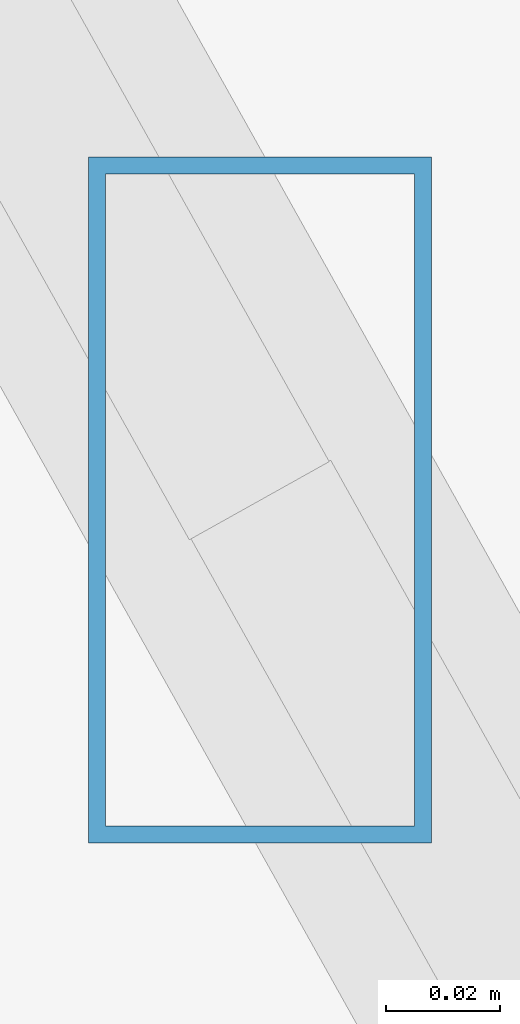
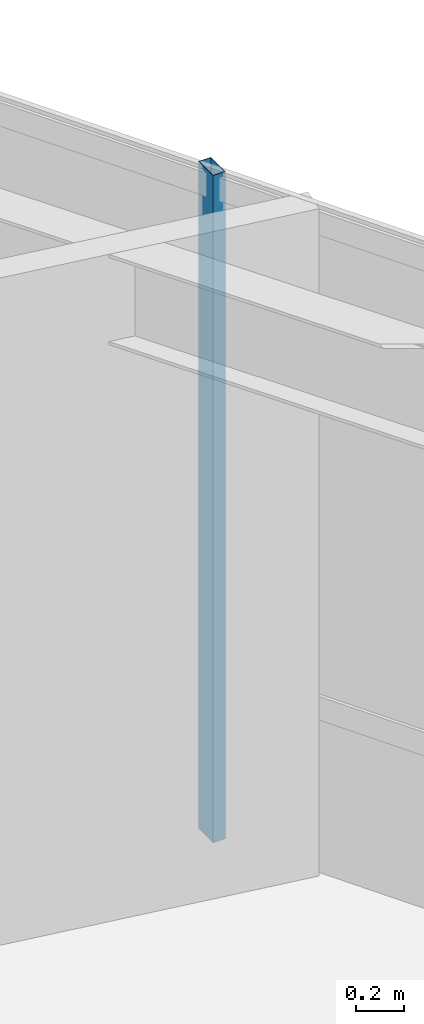
# One storey, part 25 of 44: 1 member, 1 element without a shape of its own.
"""IFC4 building model written with IfcOpenShell, lengths in metres."""

from ifc_helpers import new_model, si_unit, direction, frame, origin, origin_2d, place, context, subcontext, project, spatial, hollow_rectangle, extrude, source, transform, mapped, material, material_profile, profile_set, type_object, type_shapes, element, aggregate, save


model = new_model("IFC4")

# Units and contexts
model_context = context("Model", 3, precision=1e-05, world=origin(), true_north=direction((0.0, 1.0)))
body_context = subcontext(model_context, "Body", "Model", "MODEL_VIEW")
ifc_project = project(units=[si_unit("LENGTHUNIT", "METRE"), si_unit("AREAUNIT", "SQUARE_METRE"), si_unit("VOLUMEUNIT", "CUBIC_METRE"), si_unit("PLANEANGLEUNIT", "RADIAN"), si_unit("MASSUNIT", "GRAM", prefix="KILO")], contexts=[model_context])

# Site, building, storey
site_placement = place(None, origin())
site = spatial("IfcSite", under=ifc_project, at=site_placement, CompositionType="ELEMENT")
building_placement = place(site_placement, origin())
building = spatial("IfcBuilding", under=site, at=building_placement, Name="Caelisora Broadcast Tower", CompositionType="ELEMENT")
storey_placement = place(building_placement, frame((0.0, 0.0, 259.050048828125)))
storey = spatial("IfcBuildingStorey", under=building, at=storey_placement, Name="L68", CompositionType="ELEMENT", Elevation=259.050048828125)

# Curtain wall, member
ifc_material_1 = material(Name="Unitised Aluminium and Low-E Glass Curtain Wall", Category="glass")
curtain_wall_type = type_object("IfcCurtainWallType", Name="CW-Z5", PredefinedType="NOTDEFINED", material=ifc_material_1)
curtain_wall_placement = place(storey_placement, origin())
curtain_wall = element("IfcCurtainWall", 1, at=curtain_wall_placement, inside=storey, type_object=curtain_wall_type, Name="L68 curtain wall CW-Z5", PredefinedType="NOTDEFINED")
ifc_material_2 = material(Name="Aluminium 6063-T6 Anodised Terracotta Bronze", Category="aluminium")
ifc_material_profile = material_profile(ifc_material_2, hollow_rectangle(XDim=0.06005859375, YDim=0.1201171875, WallThickness=0.0029296875, at=origin_2d()), Name="Aluminium 6063-T6 Anodised Terracotta Bronze")
ifc_profile_set = profile_set([ifc_material_profile], Name="Aluminium 6063-T6 Anodised Terracotta Bronze")
member_type = type_object("IfcMemberType", Name="CWM-04", PredefinedType="MULLION", material=ifc_profile_set)
shared_shape = source(origin(), body_context, "Body", "SweptSolid", [
    extrude(hollow_rectangle(XDim=0.06005859375, YDim=0.1201171875, WallThickness=0.0029296875, at=origin_2d()), origin(), (0.0, 0.0, 1.0), 3.39990234375),
])
type_shapes(member_type, [shared_shape])
member_placement = place(storey_placement, frame((57.161865234375, 21.24658203125, 0.0), z_axis=(0.0, 0.0, 1.0), x_axis=(1.0, 0.0, 0.0)))
member = element("IfcMember", 2, at=member_placement, type_object=member_type, Name="L68-CW-B03 mullion #1", PredefinedType="MULLION", context=body_context, shape_type="MappedRepresentation", body=[
    mapped(shared_shape, transform((0.0, 0.0, 0.0), scale=1.0)),
])
aggregate(curtain_wall, [member])

save(model, "model.ifc")
